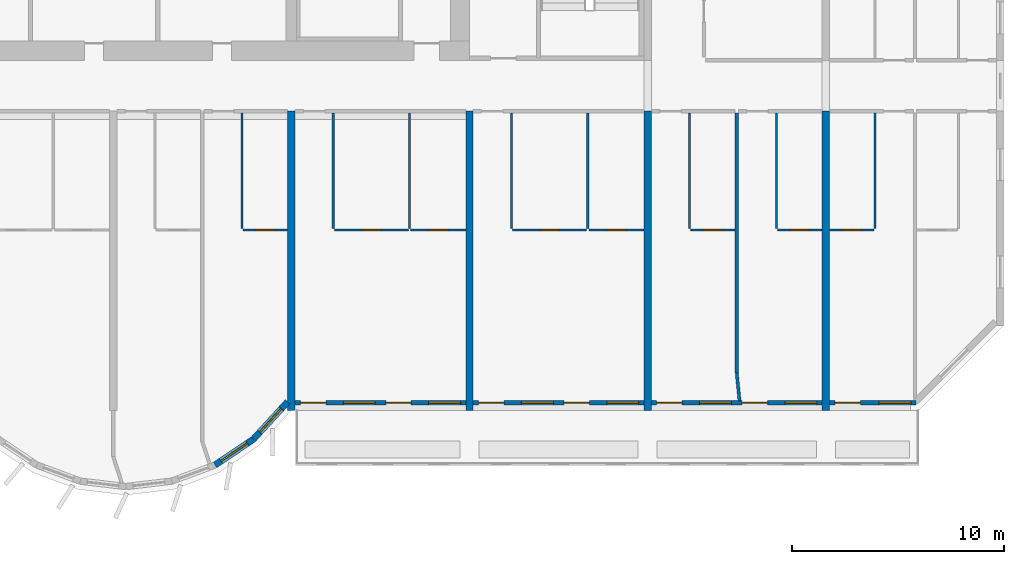
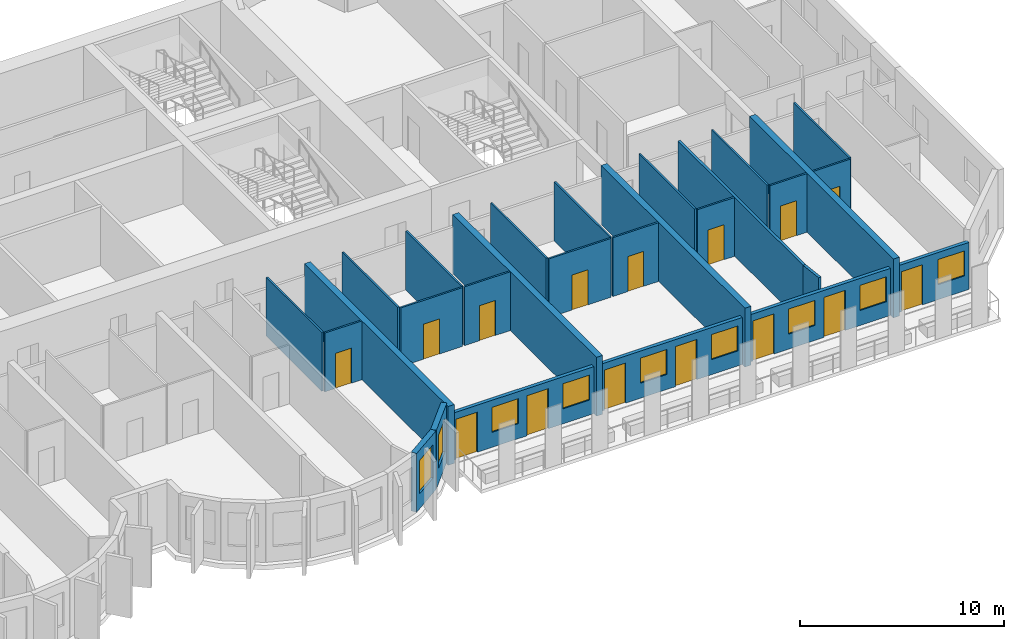
# One storey, part 8 of 14: 28 walls, 15 doors, 9 windows, 24 openings.
"""IFC4 building model written with IfcOpenShell, lengths in metres."""

import ifcopenshell
import ifcopenshell.guid

model = None  # the IFC model being written
_history = None  # IfcOwnerHistory: only IFC2X3 demands one
_inside = {}  # id of a spatial element -> (the spatial element, [elements in it])
_under = {}  # id of a project, library or spatial element -> (it, [spatial elements below it])
_declared = {}  # id of a project -> (the project, [libraries it declares])
_typed = {}  # id of a type object -> (the type object, [elements of that type])
_made_of = {}  # id of a material, layer set ... -> (it, [elements and type objects made of it])


def new_model(schema):
    """Start an empty IFC model of exactly this schema.

    Asked for "IFC4X3", IfcOpenShell would pick the latest addendum, in which some entities
    have other attributes; the version numbers below select the first issue.
    IFC2X3 requires an IfcOwnerHistory on every rooted entity: one is made here for all.
    """
    global model, _history
    if schema == "IFC4X3":
        model = ifcopenshell.file(schema_version=(4, 3, 0, 0))
    else:
        model = ifcopenshell.file(schema=schema)
    _inside.clear()
    _under.clear()
    _declared.clear()
    _typed.clear()
    _made_of.clear()
    _history = None
    if model.schema == "IFC2X3":
        org = make("IfcOrganization", Name="unknown")
        user = make(
            "IfcPersonAndOrganization",
            ThePerson=make("IfcPerson", FamilyName="unknown"),
            TheOrganization=org,
        )
        app = make(
            "IfcApplication",
            ApplicationDeveloper=org,
            Version="unknown",
            ApplicationFullName="unknown",
            ApplicationIdentifier="unknown",
        )
        _history = make(
            "IfcOwnerHistory",
            OwningUser=user,
            OwningApplication=app,
            ChangeAction="ADDED",
            CreationDate=0,
        )
    return model


def make(cls, **values):
    """One entity of the class cls with the attributes given. An attribute that is None is left unset."""
    return model.create_entity(
        cls, **{name: value for name, value in values.items() if value is not None}
    )


def rooted(cls, **values):
    """An entity with a GlobalId (a new one), such as an element, a storey or a relation."""
    return make(cls, GlobalId=ifcopenshell.guid.new(), OwnerHistory=_history, **values)


def si_unit(unit_type, name, prefix=None):
    """IfcSIUnit, for example si_unit("LENGTHUNIT", "METRE", prefix="MILLI")."""
    return make("IfcSIUnit", UnitType=unit_type, Prefix=prefix, Name=name)


def assignment(units):
    """IfcUnitAssignment: the units of a project."""
    return None if units is None else make("IfcUnitAssignment", Units=units)


def point(xyz):
    """IfcCartesianPoint."""
    return None if xyz is None else make("IfcCartesianPoint", Coordinates=xyz)


def direction(xyz):
    """IfcDirection."""
    return None if xyz is None else make("IfcDirection", DirectionRatios=xyz)


def frame(location, z_axis=None, x_axis=None):
    """IfcAxis2Placement3D, a coordinate frame: its origin and axes. An axis left out is left unset."""
    return make(
        "IfcAxis2Placement3D",
        Location=point(location),
        Axis=direction(z_axis),
        RefDirection=direction(x_axis),
    )


def frame_2d(location, x_axis=None):
    """IfcAxis2Placement2D, a coordinate frame in the plane: its origin and x axis."""
    return make(
        "IfcAxis2Placement2D", Location=point(location), RefDirection=direction(x_axis)
    )


def origin():
    """The frame at (0, 0, 0) with its axes left unset."""
    return frame((0.0, 0.0, 0.0))


def place(relative_to, where):
    """IfcLocalPlacement: puts the frame where relative to a parent placement (None: the world)."""
    return make(
        "IfcLocalPlacement", PlacementRelTo=relative_to, RelativePlacement=where
    )


def context(
    kind, dimensions, precision=None, world=None, true_north=None, identifier=None
):
    """IfcGeometricRepresentationContext, for example the 3D "Model" context."""
    return make(
        "IfcGeometricRepresentationContext",
        ContextIdentifier=identifier,
        ContextType=kind,
        CoordinateSpaceDimension=dimensions,
        Precision=precision,
        WorldCoordinateSystem=world,
        TrueNorth=true_north,
    )


def subcontext(parent, identifier, kind, view, scale=None):
    """IfcGeometricRepresentationSubContext, for example "Body" below "Model"."""
    return make(
        "IfcGeometricRepresentationSubContext",
        ContextIdentifier=identifier,
        ContextType=kind,
        ParentContext=parent,
        TargetScale=scale,
        TargetView=view,
    )


def project(units=None, contexts=None):
    """IfcProject with its units and contexts."""
    return rooted(
        "IfcProject",
        Name="project",
        RepresentationContexts=contexts,
        UnitsInContext=assignment(units),
    )


def spatial(cls, under=None, at=None, **own):
    """A site, building, storey or space (cls), placed at a placement, below another one or the project."""
    s = rooted(cls, ObjectPlacement=at, **own)
    if under is not None:
        _under.setdefault(under.id(), (under, []))[1].append(s)
    return s


def profile(cls, at=None, kind="AREA", **sizes):
    """A parametric profile (cls). Its sizes go by their IFC names, for example OverallWidth=200.0."""
    return make(cls, ProfileType=kind, Position=at, **sizes)


def rectangle(**sizes):
    """IfcRectangleProfileDef."""
    return profile("IfcRectangleProfileDef", **sizes)


def extrude(swept, where, along, depth):
    """IfcExtrudedAreaSolid: the profile swept, set in the frame where, extruded along a direction by depth."""
    return make(
        "IfcExtrudedAreaSolid",
        SweptArea=swept,
        Position=where,
        ExtrudedDirection=direction(along),
        Depth=depth,
    )


def shape(context_of_items, identifier, shape_type, items):
    """IfcShapeRepresentation: the items that make up one representation, for example the "Body"."""
    return make(
        "IfcShapeRepresentation",
        ContextOfItems=context_of_items,
        RepresentationIdentifier=identifier,
        RepresentationType=shape_type,
        Items=items,
    )


def source(mapping_origin, context_of_items, identifier, shape_type, items):
    """IfcRepresentationMap: a shape defined once, which mapped items show again and again."""
    return make(
        "IfcRepresentationMap",
        MappingOrigin=mapping_origin,
        MappedRepresentation=shape(context_of_items, identifier, shape_type, items),
    )


def transform(
    local_origin,
    x_axis=None,
    y_axis=None,
    z_axis=None,
    scale=None,
    scale2=None,
    scale3=None,
    uniform=True,
):
    """IfcCartesianTransformationOperator3D, or its non-uniform kind. x_axis, y_axis, z_axis: its Axis1, 2, 3."""
    if uniform:
        return make(
            "IfcCartesianTransformationOperator3D",
            Axis1=direction(x_axis),
            Axis2=direction(y_axis),
            LocalOrigin=point(local_origin),
            Scale=scale,
            Axis3=direction(z_axis),
        )
    return make(
        "IfcCartesianTransformationOperator3DnonUniform",
        Axis1=direction(x_axis),
        Axis2=direction(y_axis),
        LocalOrigin=point(local_origin),
        Scale=scale,
        Axis3=direction(z_axis),
        Scale2=scale2,
        Scale3=scale3,
    )


def mapped(mapping_source, mapping_target):
    """IfcMappedItem: shows the shape of a source again, moved by a transform."""
    return make(
        "IfcMappedItem", MappingSource=mapping_source, MappingTarget=mapping_target
    )


def material(Name=None, Category=None):
    """IfcMaterial."""
    return make("IfcMaterial", Name=Name, Category=Category)


def layer(
    of_material, thickness, ventilated=None, Name=None, Category=None, Priority=None
):
    """IfcMaterialLayer: one layer of a wall or slab, of a material (None: an air gap)."""
    return make(
        "IfcMaterialLayer",
        Material=of_material,
        LayerThickness=thickness,
        IsVentilated=ventilated,
        Name=Name,
        Category=Category,
        Priority=Priority,
    )


def layer_set(layers, Name=None):
    """IfcMaterialLayerSet."""
    return make("IfcMaterialLayerSet", MaterialLayers=layers, LayerSetName=Name)


def made_of(thing, what):
    """Note that an element or type object is made of a material, layer set ...; save() writes the relation."""
    if what is not None:
        _made_of.setdefault(what.id(), (what, []))[1].append(thing)
    return thing


def type_object(cls, material=None, **own):
    """A type object (cls), such as IfcWallType, which elements share."""
    return made_of(rooted(cls, **own), material)


def element(
    cls,
    number,
    at=None,
    inside=None,
    cuts=None,
    type_object=None,
    material=None,
    context=None,
    identifier="Body",
    shape_type=None,
    held_by="IfcProductDefinitionShape",
    body=None,
    shapes=None,
    **own,
):
    """One element of the class cls, such as IfcWall. Its Tag is "e" and its number.

    at: its placement. inside: the storey or other place that contains it. cuts: it is an
    opening in that element (IfcRelVoidsElement). A single representation is given by context,
    identifier, shape_type and body (its items); several are given by shapes. held_by: the class
    of the entity that holds the representations. save() writes the other relations.
    """
    e = rooted(cls, Tag="e%d" % number, ObjectPlacement=at, **own)
    if body is not None:
        shapes = [shape(context, identifier, shape_type, body)]
    if shapes is not None:
        e.Representation = make(held_by, Representations=shapes)
    if inside is not None:
        _inside.setdefault(inside.id(), (inside, []))[1].append(e)
    if cuts is not None:
        rooted(
            "IfcRelVoidsElement", RelatingBuildingElement=cuts, RelatedOpeningElement=e
        )
    if type_object is not None:
        _typed.setdefault(type_object.id(), (type_object, []))[1].append(e)
    return made_of(e, material)


def fill(opening, filler):
    """IfcRelFillsElement: the door or window that sits in an opening."""
    return rooted(
        "IfcRelFillsElement",
        RelatingOpeningElement=opening,
        RelatedBuildingElement=filler,
    )


def aggregate(whole, parts):
    """IfcRelAggregates: a whole, such as a stair, and the parts it consists of."""
    return rooted("IfcRelAggregates", RelatingObject=whole, RelatedObjects=parts)


def save(model, path):
    """Write the relations noted so far, then the file.

    IfcRelAggregates (storeys below a building ...), IfcRelContainedInSpatialStructure (elements
    in a storey), IfcRelDefinesByType, IfcRelAssociatesMaterial and IfcRelDeclares: one each for
    every whole, place, type object, material and project.
    """
    for whole, parts in _under.values():
        aggregate(whole, parts)
    for where, things in _inside.values():
        rooted(
            "IfcRelContainedInSpatialStructure",
            RelatedElements=things,
            RelatingStructure=where,
        )
    for kind, things in _typed.values():
        rooted("IfcRelDefinesByType", RelatedObjects=things, RelatingType=kind)
    for what, things in _made_of.values():
        rooted("IfcRelAssociatesMaterial", RelatedObjects=things, RelatingMaterial=what)
    for by, libraries in _declared.values():
        rooted("IfcRelDeclares", RelatingContext=by, RelatedDefinitions=libraries)
    model.write(path)


model = new_model("IFC4")

# Units and contexts
model_context = context("Model", 3, precision=1e-05, world=origin(), true_north=direction((0.0, 1.0)))
body_context = subcontext(model_context, "Body", "Model", "MODEL_VIEW")
ifc_project = project(units=[si_unit("LENGTHUNIT", "METRE"), si_unit("AREAUNIT", "SQUARE_METRE"), si_unit("VOLUMEUNIT", "CUBIC_METRE"), si_unit("PLANEANGLEUNIT", "RADIAN"), si_unit("MASSUNIT", "GRAM", prefix="KILO")], contexts=[model_context])

# Site, building, storey
site_placement = place(None, origin())
site = spatial("IfcSite", under=ifc_project, at=site_placement, CompositionType="ELEMENT")
building_placement = place(site_placement, origin())
building = spatial("IfcBuilding", under=site, at=building_placement, Name="Vanashikhar Sky Hotel", CompositionType="ELEMENT")
storey_placement = place(building_placement, frame((0.0, 0.0, 102.800048828125)))
storey = spatial("IfcBuildingStorey", under=building, at=storey_placement, Name="L24", CompositionType="ELEMENT", Elevation=102.800048828125)

# Walls
ifc_material_1 = material(Name="Concrete M70", Category="concrete")
ifc_layer_1 = layer(ifc_material_1, 0.35009765625)
ifc_layer_set_1 = layer_set([ifc_layer_1], Name="RC shear wall 350 Concrete M70")
wall_type_1 = type_object("IfcWallType", Name="RC shear wall 350 Concrete M70", PredefinedType="SHEAR", material=ifc_layer_set_1)
shared_shape_1 = source(origin(), body_context, "Body", "SweptSolid", [
    extrude(rectangle(XDim=14.10009765625, YDim=0.35009765625, at=frame_2d((7.050048828125, 0.0))), origin(), (0.0, 0.0, 1.0), 3.52001953125),
])
for number, where, z_axis, x_axis, name in (
    (1, (67.199951171875, 5.5, 0.0), (0.0, 0.0, 1.0), (0.0, 1.0, 0.0), "CW-L24-XW09-1"),
    (2, (75.60009765625, 5.5, 0.0), (0.0, 0.0, 1.0), (0.0, 1.0, 0.0), "CW-L24-XW10-1"),
    (3, (84.0, 5.5, 0.0), (0.0, 0.0, 1.0), (0.0, 1.0, 0.0), "CW-L24-XW11-1"),
    (4, (92.39990234375, 5.5, 0.0), (0.0, 0.0, 1.0), (0.0, 1.0, 0.0), "CW-L24-XW12-1"),
):
    element("IfcWall", number, at=place(storey_placement, frame(where, z_axis=z_axis, x_axis=x_axis)), inside=storey, type_object=wall_type_1, Name=name, PredefinedType="SHEAR", context=body_context, shape_type="MappedRepresentation", body=[
        mapped(shared_shape_1, transform((0.0, 0.0, 0.0), scale=1.0)),
    ])

# Wall, opening, window
ifc_material_2 = material(Name="Concrete M50", Category="concrete")
ifc_layer_2 = layer(ifc_material_2, 0.300048828125)
ifc_layer_set_2 = layer_set([ifc_layer_2], Name="Lobe wall 300")
wall_type_2 = type_object("IfcWallType", Name="Lobe wall 300", PredefinedType="SOLIDWALL", material=ifc_layer_set_2)
shared_shape_2 = source(origin(), body_context, "Body", "SweptSolid", [
    extrude(rectangle(XDim=2.398193359375, YDim=0.300048828125, at=frame_2d((1.19921875, 0.0))), origin(), (0.0, 0.0, 1.0), 3.52001953125),
])
wall_1_placement = place(storey_placement, frame((65.404296875, 4.13134765625, 0.0), z_axis=(0.0, 0.0, 1.0), x_axis=(0.675374189419, 0.737475222815, 0.0)))
wall_1 = element("IfcWall", 5, at=wall_1_placement, inside=storey, type_object=wall_type_2, Name="Lobe wall", PredefinedType="SOLIDWALL", context=body_context, shape_type="MappedRepresentation", body=[
    mapped(shared_shape_2, transform((0.0, 0.0, 0.0), scale=1.0)),
])
shared_shape_3 = source(origin(), body_context, "Body", "SweptSolid", [
    extrude(rectangle(XDim=1.5, YDim=2.0, at=frame_2d((0.75, 1.0))), frame((0.0, 0.16015625, 0.0), z_axis=(0.0, -1.0, 0.0), x_axis=(1.0, 0.0, 0.0)), (0.0, 0.0, 1.0), 0.320068359375),
])
opening_1_placement = place(wall_1_placement, frame((0.44921875, 0.0, 0.89990234375)))
opening_1 = element("IfcOpeningElement", 6, at=opening_1_placement, cuts=wall_1, Name="Opening WN-2", PredefinedType="OPENING", context=body_context, shape_type="MappedRepresentation", body=[
    mapped(shared_shape_3, transform((0.0, 0.0, 0.0), scale=1.0)),
])
ifc_material_3 = material(Name="Glass", Category="glass")
window_type_1 = type_object("IfcWindowType", Name="Lobe window 1500 x 2000", PartitioningType="SINGLE_PANEL", PredefinedType="WINDOW", material=ifc_material_3)
shared_shape_4 = source(origin(), body_context, "Body", "SweptSolid", [
    extrude(rectangle(XDim=1.5, YDim=2.0, at=frame_2d((0.75, 1.0))), frame((0.0, 0.030029296875, 0.0), z_axis=(0.0, -1.0, 0.0), x_axis=(1.0, 0.0, 0.0)), (0.0, 0.0, 1.0), 0.06005859375),
])
window_1_placement = place(opening_1_placement, origin())
window_1 = element("IfcWindow", 7, at=window_1_placement, inside=storey, type_object=window_type_1, Name="Window WN-2", OverallHeight=2.0, OverallWidth=1.5, PartitioningType="SINGLE_PANEL", PredefinedType="WINDOW", context=body_context, shape_type="MappedRepresentation", body=[
    mapped(shared_shape_4, transform((0.0, 0.0, 0.0), scale=1.0)),
])
fill(opening_1, window_1)

shared_shape_5 = source(origin(), body_context, "Body", "SweptSolid", [
    extrude(rectangle(XDim=2.17578125, YDim=0.300048828125, at=frame_2d((1.087890625, 0.0))), origin(), (0.0, 0.0, 1.0), 3.52001953125),
])
wall_2_placement = place(storey_placement, frame((63.59912109375, 2.91650390625, 0.0), z_axis=(0.0, 0.0, 1.0), x_axis=(0.829625727223, 0.558319937607, 0.0)))
wall_2 = element("IfcWall", 8, at=wall_2_placement, inside=storey, type_object=wall_type_2, Name="Lobe wall", PredefinedType="SOLIDWALL", context=body_context, shape_type="MappedRepresentation", body=[
    mapped(shared_shape_5, transform((0.0, 0.0, 0.0), scale=1.0)),
])
opening_2_placement = place(wall_2_placement, frame((0.337890625, 0.0, 0.89990234375)))
opening_2 = element("IfcOpeningElement", 9, at=opening_2_placement, cuts=wall_2, Name="Opening WN-2", PredefinedType="OPENING", context=body_context, shape_type="MappedRepresentation", body=[
    mapped(shared_shape_3, transform((0.0, 0.0, 0.0), scale=1.0)),
])
window_2_placement = place(opening_2_placement, origin())
window_2 = element("IfcWindow", 10, at=window_2_placement, inside=storey, type_object=window_type_1, Name="Window WN-2", OverallHeight=2.0, OverallWidth=1.5, PartitioningType="SINGLE_PANEL", PredefinedType="WINDOW", context=body_context, shape_type="MappedRepresentation", body=[
    mapped(shared_shape_4, transform((0.0, 0.0, 0.0), scale=1.0)),
])
fill(opening_2, window_2)

# Wall, openings, window, door
ifc_layer_3 = layer(ifc_material_2, 0.199951171875)
ifc_layer_set_3 = layer_set([ifc_layer_3], Name="Front window wall 200")
wall_type_3 = type_object("IfcWallType", Name="Front window wall 200", PredefinedType="SOLIDWALL", material=ifc_layer_set_3)
shared_shape_6 = source(origin(), body_context, "Body", "SweptSolid", [
    extrude(rectangle(XDim=4.080078125, YDim=0.199951171875, at=frame_2d((2.0400390625, 0.0))), origin(), (0.0, 0.0, 1.0), 2.820068359375),
])
wall_3_placement = place(storey_placement, frame((92.574951171875, 5.85009765625, 0.0), z_axis=(0.0, 0.0, 1.0), x_axis=(1.0, 0.0, 0.0)))
wall_3 = element("IfcWall", 11, at=wall_3_placement, inside=storey, type_object=wall_type_3, Name="Front window wall", PredefinedType="SOLIDWALL", context=body_context, shape_type="MappedRepresentation", body=[
    mapped(shared_shape_6, transform((0.0, 0.0, 0.0), scale=1.0)),
])
shared_shape_7 = source(origin(), body_context, "Body", "SweptSolid", [
    extrude(rectangle(XDim=1.199951171875, YDim=2.39990234375, at=frame_2d((0.60009765625, 1.199951171875))), frame((0.0, 0.10986328125, 0.0), z_axis=(0.0, -1.0, 0.0), x_axis=(1.0, 0.0, 0.0)), (0.0, 0.0, 1.0), 0.219970703125),
])
opening_3_placement = place(wall_3_placement, frame((0.25, 0.0, 0.0)))
opening_3 = element("IfcOpeningElement", 12, at=opening_3_placement, cuts=wall_3, Name="Opening BD-14", PredefinedType="OPENING", context=body_context, shape_type="MappedRepresentation", body=[
    mapped(shared_shape_7, transform((0.0, 0.0, 0.0), scale=1.0)),
])
shared_shape_8 = source(origin(), body_context, "Body", "SweptSolid", [
    extrude(rectangle(XDim=1.5, YDim=1.5, at=frame_2d((0.75, 0.75))), frame((0.0, 0.10986328125, 0.0), z_axis=(0.0, -1.0, 0.0), x_axis=(1.0, 0.0, 0.0)), (0.0, 0.0, 1.0), 0.219970703125),
])
opening_4_placement = place(wall_3_placement, frame((2.330078125, 0.0, 0.89990234375)))
opening_4 = element("IfcOpeningElement", 13, at=opening_4_placement, cuts=wall_3, Name="Opening WN-1", PredefinedType="OPENING", context=body_context, shape_type="MappedRepresentation", body=[
    mapped(shared_shape_8, transform((0.0, 0.0, 0.0), scale=1.0)),
])
window_type_2 = type_object("IfcWindowType", Name="Window 1500 x 1500", PartitioningType="SINGLE_PANEL", PredefinedType="WINDOW", material=ifc_material_3)
shared_shape_9 = source(origin(), body_context, "Body", "SweptSolid", [
    extrude(rectangle(XDim=1.5, YDim=1.5, at=frame_2d((0.75, 0.75))), frame((0.0, 0.030029296875, 0.0), z_axis=(0.0, -1.0, 0.0), x_axis=(1.0, 0.0, 0.0)), (0.0, 0.0, 1.0), 0.06005859375),
])
window_3_placement = place(opening_4_placement, origin())
window_3 = element("IfcWindow", 14, at=window_3_placement, inside=storey, type_object=window_type_2, Name="Window WN-1", OverallHeight=1.5, OverallWidth=1.5, PartitioningType="SINGLE_PANEL", PredefinedType="WINDOW", context=body_context, shape_type="MappedRepresentation", body=[
    mapped(shared_shape_9, transform((0.0, 0.0, 0.0), scale=1.0)),
])
fill(opening_4, window_3)
ifc_material_4 = material(Name="Aluminium", Category="aluminium")
door_type_1 = type_object("IfcDoorType", Name="Balcony sliding door 1200 x 2400", OperationType="NOTDEFINED", PredefinedType="DOOR", material=ifc_material_4)
shared_shape_10 = source(origin(), body_context, "Body", "SweptSolid", [
    extrude(rectangle(XDim=1.199951171875, YDim=2.39990234375, at=frame_2d((0.60009765625, 1.199951171875))), frame((0.0, 0.02490234375, 0.0), z_axis=(0.0, -1.0, 0.0), x_axis=(1.0, 0.0, 0.0)), (0.0, 0.0, 1.0), 0.050048828125),
])
door_1_placement = place(opening_3_placement, origin())
door_1 = element("IfcDoor", 15, at=door_1_placement, inside=storey, type_object=door_type_1, Name="Balcony sliding door", OperationType="SLIDING_TO_RIGHT", OverallHeight=2.39990234375, OverallWidth=1.199951171875, PredefinedType="DOOR", context=body_context, shape_type="MappedRepresentation", body=[
    mapped(shared_shape_10, transform((0.0, 0.0, 0.0), scale=1.0)),
])
fill(opening_3, door_1)

# Wall, openings, windows, doors
shared_shape_11 = source(origin(), body_context, "Body", "SweptSolid", [
    extrude(rectangle(XDim=8.050048828125, YDim=0.199951171875, at=frame_2d((4.02490234375, 0.0))), origin(), (0.0, 0.0, 1.0), 2.820068359375),
])
wall_4_placement = place(storey_placement, frame((67.375, 5.85009765625, 0.0), z_axis=(0.0, 0.0, 1.0), x_axis=(1.0, 0.0, 0.0)))
wall_4 = element("IfcWall", 16, at=wall_4_placement, inside=storey, type_object=wall_type_3, Name="Front window wall", PredefinedType="SOLIDWALL", context=body_context, shape_type="MappedRepresentation", body=[
    mapped(shared_shape_11, transform((0.0, 0.0, 0.0), scale=1.0)),
])
opening_5_placement = place(wall_4_placement, frame((0.25, 0.0, 0.0)))
opening_5 = element("IfcOpeningElement", 17, at=opening_5_placement, cuts=wall_4, Name="Opening BD-08", PredefinedType="OPENING", context=body_context, shape_type="MappedRepresentation", body=[
    mapped(shared_shape_7, transform((0.0, 0.0, 0.0), scale=1.0)),
])
opening_6_placement = place(wall_4_placement, frame((2.27490234375, 0.0, 0.89990234375)))
opening_6 = element("IfcOpeningElement", 18, at=opening_6_placement, cuts=wall_4, Name="Opening WN-1", PredefinedType="OPENING", context=body_context, shape_type="MappedRepresentation", body=[
    mapped(shared_shape_8, transform((0.0, 0.0, 0.0), scale=1.0)),
])
opening_7_placement = place(wall_4_placement, frame((4.27490234375, 0.0, 0.0)))
opening_7 = element("IfcOpeningElement", 19, at=opening_7_placement, cuts=wall_4, Name="Opening BD-09", PredefinedType="OPENING", context=body_context, shape_type="MappedRepresentation", body=[
    mapped(shared_shape_7, transform((0.0, 0.0, 0.0), scale=1.0)),
])
opening_8_placement = place(wall_4_placement, frame((6.300048828125, 0.0, 0.89990234375)))
opening_8 = element("IfcOpeningElement", 20, at=opening_8_placement, cuts=wall_4, Name="Opening WN-1", PredefinedType="OPENING", context=body_context, shape_type="MappedRepresentation", body=[
    mapped(shared_shape_8, transform((0.0, 0.0, 0.0), scale=1.0)),
])
window_4_placement = place(opening_6_placement, origin())
window_4 = element("IfcWindow", 21, at=window_4_placement, inside=storey, type_object=window_type_2, Name="Window WN-1", OverallHeight=1.5, OverallWidth=1.5, PartitioningType="SINGLE_PANEL", PredefinedType="WINDOW", context=body_context, shape_type="MappedRepresentation", body=[
    mapped(shared_shape_9, transform((0.0, 0.0, 0.0), scale=1.0)),
])
fill(opening_6, window_4)
window_5_placement = place(opening_8_placement, origin())
window_5 = element("IfcWindow", 22, at=window_5_placement, inside=storey, type_object=window_type_2, Name="Window WN-1", OverallHeight=1.5, OverallWidth=1.5, PartitioningType="SINGLE_PANEL", PredefinedType="WINDOW", context=body_context, shape_type="MappedRepresentation", body=[
    mapped(shared_shape_9, transform((0.0, 0.0, 0.0), scale=1.0)),
])
fill(opening_8, window_5)
door_2_placement = place(opening_5_placement, origin())
door_2 = element("IfcDoor", 23, at=door_2_placement, inside=storey, type_object=door_type_1, Name="Balcony sliding door", OperationType="SLIDING_TO_RIGHT", OverallHeight=2.39990234375, OverallWidth=1.199951171875, PredefinedType="DOOR", context=body_context, shape_type="MappedRepresentation", body=[
    mapped(shared_shape_10, transform((0.0, 0.0, 0.0), scale=1.0)),
])
fill(opening_5, door_2)
door_3_placement = place(opening_7_placement, origin())
door_3 = element("IfcDoor", 24, at=door_3_placement, inside=storey, type_object=door_type_1, Name="Balcony sliding door", OperationType="SLIDING_TO_LEFT", OverallHeight=2.39990234375, OverallWidth=1.199951171875, PredefinedType="DOOR", context=body_context, shape_type="MappedRepresentation", body=[
    mapped(shared_shape_10, transform((0.0, 0.0, 0.0), scale=1.0)),
])
fill(opening_7, door_3)

wall_5_placement = place(storey_placement, frame((75.77490234375, 5.85009765625, 0.0), z_axis=(0.0, 0.0, 1.0), x_axis=(1.0, 0.0, 0.0)))
wall_5 = element("IfcWall", 25, at=wall_5_placement, inside=storey, type_object=wall_type_3, Name="Front window wall", PredefinedType="SOLIDWALL", context=body_context, shape_type="MappedRepresentation", body=[
    mapped(shared_shape_11, transform((0.0, 0.0, 0.0), scale=1.0)),
])
opening_9_placement = place(wall_5_placement, frame((0.25, 0.0, 0.0)))
opening_9 = element("IfcOpeningElement", 26, at=opening_9_placement, cuts=wall_5, Name="Opening BD-10", PredefinedType="OPENING", context=body_context, shape_type="MappedRepresentation", body=[
    mapped(shared_shape_7, transform((0.0, 0.0, 0.0), scale=1.0)),
])
opening_10_placement = place(wall_5_placement, frame((2.27490234375, 0.0, 0.89990234375)))
opening_10 = element("IfcOpeningElement", 27, at=opening_10_placement, cuts=wall_5, Name="Opening WN-1", PredefinedType="OPENING", context=body_context, shape_type="MappedRepresentation", body=[
    mapped(shared_shape_8, transform((0.0, 0.0, 0.0), scale=1.0)),
])
opening_11_placement = place(wall_5_placement, frame((4.27490234375, 0.0, 0.0)))
opening_11 = element("IfcOpeningElement", 28, at=opening_11_placement, cuts=wall_5, Name="Opening BD-11", PredefinedType="OPENING", context=body_context, shape_type="MappedRepresentation", body=[
    mapped(shared_shape_7, transform((0.0, 0.0, 0.0), scale=1.0)),
])
opening_12_placement = place(wall_5_placement, frame((6.300048828125, 0.0, 0.89990234375)))
opening_12 = element("IfcOpeningElement", 29, at=opening_12_placement, cuts=wall_5, Name="Opening WN-1", PredefinedType="OPENING", context=body_context, shape_type="MappedRepresentation", body=[
    mapped(shared_shape_8, transform((0.0, 0.0, 0.0), scale=1.0)),
])
window_6_placement = place(opening_10_placement, origin())
window_6 = element("IfcWindow", 30, at=window_6_placement, inside=storey, type_object=window_type_2, Name="Window WN-1", OverallHeight=1.5, OverallWidth=1.5, PartitioningType="SINGLE_PANEL", PredefinedType="WINDOW", context=body_context, shape_type="MappedRepresentation", body=[
    mapped(shared_shape_9, transform((0.0, 0.0, 0.0), scale=1.0)),
])
fill(opening_10, window_6)
window_7_placement = place(opening_12_placement, origin())
window_7 = element("IfcWindow", 31, at=window_7_placement, inside=storey, type_object=window_type_2, Name="Window WN-1", OverallHeight=1.5, OverallWidth=1.5, PartitioningType="SINGLE_PANEL", PredefinedType="WINDOW", context=body_context, shape_type="MappedRepresentation", body=[
    mapped(shared_shape_9, transform((0.0, 0.0, 0.0), scale=1.0)),
])
fill(opening_12, window_7)
door_4_placement = place(opening_9_placement, origin())
door_4 = element("IfcDoor", 32, at=door_4_placement, inside=storey, type_object=door_type_1, Name="Balcony sliding door", OperationType="SLIDING_TO_RIGHT", OverallHeight=2.39990234375, OverallWidth=1.199951171875, PredefinedType="DOOR", context=body_context, shape_type="MappedRepresentation", body=[
    mapped(shared_shape_10, transform((0.0, 0.0, 0.0), scale=1.0)),
])
fill(opening_9, door_4)
door_5_placement = place(opening_11_placement, origin())
door_5 = element("IfcDoor", 33, at=door_5_placement, inside=storey, type_object=door_type_1, Name="Balcony sliding door", OperationType="SLIDING_TO_LEFT", OverallHeight=2.39990234375, OverallWidth=1.199951171875, PredefinedType="DOOR", context=body_context, shape_type="MappedRepresentation", body=[
    mapped(shared_shape_10, transform((0.0, 0.0, 0.0), scale=1.0)),
])
fill(opening_11, door_5)

wall_6_placement = place(storey_placement, frame((84.175048828125, 5.85009765625, 0.0), z_axis=(0.0, 0.0, 1.0), x_axis=(1.0, 0.0, 0.0)))
wall_6 = element("IfcWall", 34, at=wall_6_placement, inside=storey, type_object=wall_type_3, Name="Front window wall", PredefinedType="SOLIDWALL", context=body_context, shape_type="MappedRepresentation", body=[
    mapped(shared_shape_11, transform((0.0, 0.0, 0.0), scale=1.0)),
])
opening_13_placement = place(wall_6_placement, frame((0.25, 0.0, 0.0)))
opening_13 = element("IfcOpeningElement", 35, at=opening_13_placement, cuts=wall_6, Name="Opening BD-12", PredefinedType="OPENING", context=body_context, shape_type="MappedRepresentation", body=[
    mapped(shared_shape_7, transform((0.0, 0.0, 0.0), scale=1.0)),
])
opening_14_placement = place(wall_6_placement, frame((2.27490234375, 0.0, 0.89990234375)))
opening_14 = element("IfcOpeningElement", 36, at=opening_14_placement, cuts=wall_6, Name="Opening WN-1", PredefinedType="OPENING", context=body_context, shape_type="MappedRepresentation", body=[
    mapped(shared_shape_8, transform((0.0, 0.0, 0.0), scale=1.0)),
])
opening_15_placement = place(wall_6_placement, frame((4.27490234375, 0.0, 0.0)))
opening_15 = element("IfcOpeningElement", 37, at=opening_15_placement, cuts=wall_6, Name="Opening BD-13", PredefinedType="OPENING", context=body_context, shape_type="MappedRepresentation", body=[
    mapped(shared_shape_7, transform((0.0, 0.0, 0.0), scale=1.0)),
])
opening_16_placement = place(wall_6_placement, frame((6.300048828125, 0.0, 0.89990234375)))
opening_16 = element("IfcOpeningElement", 38, at=opening_16_placement, cuts=wall_6, Name="Opening WN-1", PredefinedType="OPENING", context=body_context, shape_type="MappedRepresentation", body=[
    mapped(shared_shape_8, transform((0.0, 0.0, 0.0), scale=1.0)),
])
window_8_placement = place(opening_14_placement, origin())
window_8 = element("IfcWindow", 39, at=window_8_placement, inside=storey, type_object=window_type_2, Name="Window WN-1", OverallHeight=1.5, OverallWidth=1.5, PartitioningType="SINGLE_PANEL", PredefinedType="WINDOW", context=body_context, shape_type="MappedRepresentation", body=[
    mapped(shared_shape_9, transform((0.0, 0.0, 0.0), scale=1.0)),
])
fill(opening_14, window_8)
window_9_placement = place(opening_16_placement, origin())
window_9 = element("IfcWindow", 40, at=window_9_placement, inside=storey, type_object=window_type_2, Name="Window WN-1", OverallHeight=1.5, OverallWidth=1.5, PartitioningType="SINGLE_PANEL", PredefinedType="WINDOW", context=body_context, shape_type="MappedRepresentation", body=[
    mapped(shared_shape_9, transform((0.0, 0.0, 0.0), scale=1.0)),
])
fill(opening_16, window_9)
door_6_placement = place(opening_13_placement, origin())
door_6 = element("IfcDoor", 41, at=door_6_placement, inside=storey, type_object=door_type_1, Name="Balcony sliding door", OperationType="SLIDING_TO_RIGHT", OverallHeight=2.39990234375, OverallWidth=1.199951171875, PredefinedType="DOOR", context=body_context, shape_type="MappedRepresentation", body=[
    mapped(shared_shape_10, transform((0.0, 0.0, 0.0), scale=1.0)),
])
fill(opening_13, door_6)
door_7_placement = place(opening_15_placement, origin())
door_7 = element("IfcDoor", 42, at=door_7_placement, inside=storey, type_object=door_type_1, Name="Balcony sliding door", OperationType="SLIDING_TO_LEFT", OverallHeight=2.39990234375, OverallWidth=1.199951171875, PredefinedType="DOOR", context=body_context, shape_type="MappedRepresentation", body=[
    mapped(shared_shape_10, transform((0.0, 0.0, 0.0), scale=1.0)),
])
fill(opening_15, door_7)

# Wall, opening, door
ifc_material_5 = material(Name="Gypsum plasterboard partition")
ifc_layer_4 = layer(ifc_material_5, 0.10009765625)
ifc_layer_set_4 = layer_set([ifc_layer_4], Name="Wet room partition 100")
wall_type_4 = type_object("IfcWallType", Name="Wet room partition 100", PredefinedType="PARTITIONING", material=ifc_layer_set_4)
shared_shape_12 = source(origin(), body_context, "Body", "SweptSolid", [
    extrude(rectangle(XDim=3.5, YDim=0.10009765625, at=frame_2d((1.75, 0.0))), origin(), (0.0, 0.0, 1.0), 3.52001953125),
])
wall_7_placement = place(storey_placement, frame((69.22509765625, 14.0, 0.0), z_axis=(0.0, 0.0, 1.0), x_axis=(1.0, 0.0, 0.0)))
wall_7 = element("IfcWall", 43, at=wall_7_placement, inside=storey, type_object=wall_type_4, Name="W-L24-PW057", PredefinedType="PARTITIONING", context=body_context, shape_type="MappedRepresentation", body=[
    mapped(shared_shape_12, transform((0.0, 0.0, 0.0), scale=1.0)),
])
shared_shape_13 = source(origin(), body_context, "Body", "SweptSolid", [
    extrude(rectangle(XDim=0.89990234375, YDim=2.10009765625, at=frame_2d((0.449951171875, 1.050048828125))), frame((0.0, 0.06005859375, 0.0), z_axis=(0.0, -1.0, 0.0), x_axis=(1.0, 0.0, 0.0)), (0.0, 0.0, 1.0), 0.1201171875),
])
opening_17_placement = place(wall_7_placement, frame((1.300048828125, 0.0, 0.0)))
opening_17 = element("IfcOpeningElement", 44, at=opening_17_placement, cuts=wall_7, Name="Opening D-02", PredefinedType="OPENING", context=body_context, shape_type="MappedRepresentation", body=[
    mapped(shared_shape_13, transform((0.0, 0.0, 0.0), scale=1.0)),
])
ifc_material_6 = material(Name="Timber door", Category="wood")
door_type_2 = type_object("IfcDoorType", Name="Internal door 900", OperationType="NOTDEFINED", PredefinedType="DOOR", material=ifc_material_6)
shared_shape_14 = source(origin(), body_context, "Body", "SweptSolid", [
    extrude(rectangle(XDim=0.89990234375, YDim=2.10009765625, at=frame_2d((0.449951171875, 1.050048828125))), frame((0.0, 0.02490234375, 0.0), z_axis=(0.0, -1.0, 0.0), x_axis=(1.0, 0.0, 0.0)), (0.0, 0.0, 1.0), 0.050048828125),
])
door_8_placement = place(opening_17_placement, origin())
door_8 = element("IfcDoor", 45, at=door_8_placement, inside=storey, type_object=door_type_2, Name="D-L24-032", OperationType="SINGLE_SWING_LEFT", OverallHeight=2.10009765625, OverallWidth=0.89990234375, PredefinedType="DOOR", context=body_context, shape_type="MappedRepresentation", body=[
    mapped(shared_shape_14, transform((0.0, 0.0, 0.0), scale=1.0)),
])
fill(opening_17, door_8)

wall_8_placement = place(storey_placement, frame((77.625, 14.0, 0.0), z_axis=(0.0, 0.0, 1.0), x_axis=(1.0, 0.0, 0.0)))
wall_8 = element("IfcWall", 46, at=wall_8_placement, inside=storey, type_object=wall_type_4, Name="W-L24-PW062", PredefinedType="PARTITIONING", context=body_context, shape_type="MappedRepresentation", body=[
    mapped(shared_shape_12, transform((0.0, 0.0, 0.0), scale=1.0)),
])
opening_18_placement = place(wall_8_placement, frame((1.300048828125, 0.0, 0.0)))
opening_18 = element("IfcOpeningElement", 47, at=opening_18_placement, cuts=wall_8, Name="Opening D-02", PredefinedType="OPENING", context=body_context, shape_type="MappedRepresentation", body=[
    mapped(shared_shape_13, transform((0.0, 0.0, 0.0), scale=1.0)),
])
door_9_placement = place(opening_18_placement, origin())
door_9 = element("IfcDoor", 48, at=door_9_placement, inside=storey, type_object=door_type_2, Name="D-L24-035", OperationType="SINGLE_SWING_LEFT", OverallHeight=2.10009765625, OverallWidth=0.89990234375, PredefinedType="DOOR", context=body_context, shape_type="MappedRepresentation", body=[
    mapped(shared_shape_14, transform((0.0, 0.0, 0.0), scale=1.0)),
])
fill(opening_18, door_9)

# Walls
shared_shape_15 = source(origin(), body_context, "Body", "SweptSolid", [
    extrude(rectangle(XDim=5.449951171875, YDim=0.10009765625, at=frame_2d((2.72509765625, 0.0))), origin(), (0.0, 0.0, 1.0), 3.52001953125),
])
for number, where, z_axis, x_axis, name in (
    (49, (64.875, 14.074951171875, 0.0), (0.0, 0.0, 1.0), (0.0, 1.0, 0.0), "W-L24-PW051"),
    (50, (69.175048828125, 14.074951171875, 0.0), (0.0, 0.0, 1.0), (0.0, 1.0, 0.0), "W-L24-PW055"),
    (51, (72.77490234375, 14.074951171875, 0.0), (0.0, 0.0, 1.0), (0.0, 1.0, 0.0), "W-L24-PW056"),
    (52, (77.574951171875, 14.074951171875, 0.0), (0.0, 0.0, 1.0), (0.0, 1.0, 0.0), "W-L24-PW060"),
    (53, (81.175048828125, 14.074951171875, 0.0), (0.0, 0.0, 1.0), (0.0, 1.0, 0.0), "W-L24-PW061"),
    (54, (85.97509765625, 14.074951171875, 0.0), (0.0, 0.0, 1.0), (0.0, 1.0, 0.0), "W-L24-PW065"),
    (55, (90.074951171875, 14.074951171875, 0.0), (0.0, 0.0, 1.0), (0.0, 1.0, 0.0), "W-L24-PW068"),
    (56, (94.72509765625, 14.074951171875, 0.0), (0.0, 0.0, 1.0), (0.0, 1.0, 0.0), "W-L24-PW072"),
):
    element("IfcWall", number, at=place(storey_placement, frame(where, z_axis=z_axis, x_axis=x_axis)), inside=storey, type_object=wall_type_4, Name=name, PredefinedType="PARTITIONING", context=body_context, shape_type="MappedRepresentation", body=[
        mapped(shared_shape_15, transform((0.0, 0.0, 0.0), scale=1.0)),
    ])

# Wall, opening, door
shared_shape_16 = source(origin(), body_context, "Body", "SweptSolid", [
    extrude(rectangle(XDim=2.10009765625, YDim=0.10009765625, at=frame_2d((1.050048828125, 0.0))), origin(), (0.0, 0.0, 1.0), 3.52001953125),
])
wall_9_placement = place(storey_placement, frame((86.02490234375, 14.0, 0.0), z_axis=(0.0, 0.0, 1.0), x_axis=(1.0, 0.0, 0.0)))
wall_9 = element("IfcWall", 57, at=wall_9_placement, inside=storey, type_object=wall_type_4, Name="W-L24-PW066", PredefinedType="PARTITIONING", context=body_context, shape_type="MappedRepresentation", body=[
    mapped(shared_shape_16, transform((0.0, 0.0, 0.0), scale=1.0)),
])
opening_19_placement = place(wall_9_placement, frame((0.60009765625, 0.0, 0.0)))
opening_19 = element("IfcOpeningElement", 58, at=opening_19_placement, cuts=wall_9, Name="Opening D-02", PredefinedType="OPENING", context=body_context, shape_type="MappedRepresentation", body=[
    mapped(shared_shape_13, transform((0.0, 0.0, 0.0), scale=1.0)),
])
door_10_placement = place(opening_19_placement, origin())
door_10 = element("IfcDoor", 59, at=door_10_placement, inside=storey, type_object=door_type_2, Name="D-L24-038", OperationType="SINGLE_SWING_LEFT", OverallHeight=2.10009765625, OverallWidth=0.89990234375, PredefinedType="DOOR", context=body_context, shape_type="MappedRepresentation", body=[
    mapped(shared_shape_14, transform((0.0, 0.0, 0.0), scale=1.0)),
])
fill(opening_19, door_10)

wall_10_placement = place(storey_placement, frame((90.125, 14.0, 0.0), z_axis=(0.0, 0.0, 1.0), x_axis=(1.0, 0.0, 0.0)))
wall_10 = element("IfcWall", 60, at=wall_10_placement, inside=storey, type_object=wall_type_4, Name="W-L24-PW069", PredefinedType="PARTITIONING", context=body_context, shape_type="MappedRepresentation", body=[
    mapped(shared_shape_16, transform((0.0, 0.0, 0.0), scale=1.0)),
])
opening_20_placement = place(wall_10_placement, frame((0.60009765625, 0.0, 0.0)))
opening_20 = element("IfcOpeningElement", 61, at=opening_20_placement, cuts=wall_10, Name="Opening D-02", PredefinedType="OPENING", context=body_context, shape_type="MappedRepresentation", body=[
    mapped(shared_shape_13, transform((0.0, 0.0, 0.0), scale=1.0)),
])
door_11_placement = place(opening_20_placement, origin())
door_11 = element("IfcDoor", 62, at=door_11_placement, inside=storey, type_object=door_type_2, Name="D-L24-040", OperationType="SINGLE_SWING_LEFT", OverallHeight=2.10009765625, OverallWidth=0.89990234375, PredefinedType="DOOR", context=body_context, shape_type="MappedRepresentation", body=[
    mapped(shared_shape_14, transform((0.0, 0.0, 0.0), scale=1.0)),
])
fill(opening_20, door_11)

wall_11_placement = place(storey_placement, frame((92.574951171875, 14.0, 0.0), z_axis=(0.0, 0.0, 1.0), x_axis=(1.0, 0.0, 0.0)))
wall_11 = element("IfcWall", 63, at=wall_11_placement, inside=storey, type_object=wall_type_4, Name="W-L24-PW073", PredefinedType="PARTITIONING", context=body_context, shape_type="MappedRepresentation", body=[
    mapped(shared_shape_16, transform((0.0, 0.0, 0.0), scale=1.0)),
])
opening_21_placement = place(wall_11_placement, frame((0.60009765625, 0.0, 0.0)))
opening_21 = element("IfcOpeningElement", 64, at=opening_21_placement, cuts=wall_11, Name="Opening D-02", PredefinedType="OPENING", context=body_context, shape_type="MappedRepresentation", body=[
    mapped(shared_shape_13, transform((0.0, 0.0, 0.0), scale=1.0)),
])
door_12_placement = place(opening_21_placement, origin())
door_12 = element("IfcDoor", 65, at=door_12_placement, inside=storey, type_object=door_type_2, Name="D-L24-042", OperationType="SINGLE_SWING_RIGHT", OverallHeight=2.10009765625, OverallWidth=0.89990234375, PredefinedType="DOOR", context=body_context, shape_type="MappedRepresentation", body=[
    mapped(shared_shape_14, transform((0.0, 0.0, 0.0), scale=1.0)),
])
fill(opening_21, door_12)

shared_shape_17 = source(origin(), body_context, "Body", "SweptSolid", [
    extrude(rectangle(XDim=2.60009765625, YDim=0.10009765625, at=frame_2d((1.300048828125, 0.0))), origin(), (0.0, 0.0, 1.0), 3.52001953125),
])
wall_12_placement = place(storey_placement, frame((72.824951171875, 14.0, 0.0), z_axis=(0.0, 0.0, 1.0), x_axis=(1.0, 0.0, 0.0)))
wall_12 = element("IfcWall", 66, at=wall_12_placement, inside=storey, type_object=wall_type_4, Name="W-L24-PW058", PredefinedType="PARTITIONING", context=body_context, shape_type="MappedRepresentation", body=[
    mapped(shared_shape_17, transform((0.0, 0.0, 0.0), scale=1.0)),
])
opening_22_placement = place(wall_12_placement, frame((0.85009765625, 0.0, 0.0)))
opening_22 = element("IfcOpeningElement", 67, at=opening_22_placement, cuts=wall_12, Name="Opening D-02", PredefinedType="OPENING", context=body_context, shape_type="MappedRepresentation", body=[
    mapped(shared_shape_13, transform((0.0, 0.0, 0.0), scale=1.0)),
])
door_13_placement = place(opening_22_placement, origin())
door_13 = element("IfcDoor", 68, at=door_13_placement, inside=storey, type_object=door_type_2, Name="D-L24-033", OperationType="SINGLE_SWING_LEFT", OverallHeight=2.10009765625, OverallWidth=0.89990234375, PredefinedType="DOOR", context=body_context, shape_type="MappedRepresentation", body=[
    mapped(shared_shape_14, transform((0.0, 0.0, 0.0), scale=1.0)),
])
fill(opening_22, door_13)

shared_shape_18 = source(origin(), body_context, "Body", "SweptSolid", [
    extrude(rectangle(XDim=2.099853515625, YDim=0.10009765625, at=frame_2d((1.0498046875, 0.0))), origin(), (0.0, 0.0, 1.0), 3.52001953125),
])
wall_13_placement = place(storey_placement, frame((64.925048828125, 14.0, 0.0), z_axis=(0.0, 0.0, 1.0), x_axis=(1.0, 0.0, 0.0)))
wall_13 = element("IfcWall", 69, at=wall_13_placement, inside=storey, type_object=wall_type_4, Name="W-L24-PW052", PredefinedType="PARTITIONING", context=body_context, shape_type="MappedRepresentation", body=[
    mapped(shared_shape_18, transform((0.0, 0.0, 0.0), scale=1.0)),
])
opening_23_placement = place(wall_13_placement, frame((0.60009765625, 0.0, 0.0)))
opening_23 = element("IfcOpeningElement", 70, at=opening_23_placement, cuts=wall_13, Name="Opening D-02", PredefinedType="OPENING", context=body_context, shape_type="MappedRepresentation", body=[
    mapped(shared_shape_13, transform((0.0, 0.0, 0.0), scale=1.0)),
])
door_14_placement = place(opening_23_placement, origin())
door_14 = element("IfcDoor", 71, at=door_14_placement, inside=storey, type_object=door_type_2, Name="D-L24-030", OperationType="SINGLE_SWING_LEFT", OverallHeight=2.10009765625, OverallWidth=0.89990234375, PredefinedType="DOOR", context=body_context, shape_type="MappedRepresentation", body=[
    mapped(shared_shape_14, transform((0.0, 0.0, 0.0), scale=1.0)),
])
fill(opening_23, door_14)

# Wall
ifc_layer_5 = layer(ifc_material_5, 0.14990234375)
ifc_layer_set_5 = layer_set([ifc_layer_5], Name="Corridor and demising partition 150")
wall_type_5 = type_object("IfcWallType", Name="Corridor and demising partition 150", PredefinedType="PARTITIONING", material=ifc_layer_set_5)
shared_shape_19 = source(origin(), body_context, "Body", "SweptSolid", [
    extrude(rectangle(XDim=12.27490234375, YDim=0.14990234375, at=frame_2d((6.137451171875, 0.0))), origin(), (0.0, 0.0, 1.0), 3.52001953125),
])
wall_14_placement = place(storey_placement, frame((88.199951171875, 7.25, 0.0), z_axis=(0.0, 0.0, 1.0), x_axis=(0.0, 1.0, 0.0)))
element("IfcWall", 72, at=wall_14_placement, inside=storey, type_object=wall_type_5, Name="W-L24-PW071", PredefinedType="PARTITIONING", context=body_context, shape_type="MappedRepresentation", body=[
    mapped(shared_shape_19, transform((0.0, 0.0, 0.0), scale=1.0)),
])

# Wall, opening, door
shared_shape_20 = source(origin(), body_context, "Body", "SweptSolid", [
    extrude(rectangle(XDim=2.599853515625, YDim=0.10009765625, at=frame_2d((1.2998046875, 0.0))), origin(), (0.0, 0.0, 1.0), 3.52001953125),
])
wall_15_placement = place(storey_placement, frame((81.22509765625, 14.0, 0.0), z_axis=(0.0, 0.0, 1.0), x_axis=(1.0, 0.0, 0.0)))
wall_15 = element("IfcWall", 73, at=wall_15_placement, inside=storey, type_object=wall_type_4, Name="W-L24-PW063", PredefinedType="PARTITIONING", context=body_context, shape_type="MappedRepresentation", body=[
    mapped(shared_shape_20, transform((0.0, 0.0, 0.0), scale=1.0)),
])
opening_24_placement = place(wall_15_placement, frame((0.85009765625, 0.0, 0.0)))
opening_24 = element("IfcOpeningElement", 74, at=opening_24_placement, cuts=wall_15, Name="Opening D-02", PredefinedType="OPENING", context=body_context, shape_type="MappedRepresentation", body=[
    mapped(shared_shape_13, transform((0.0, 0.0, 0.0), scale=1.0)),
])
door_15_placement = place(opening_24_placement, origin())
door_15 = element("IfcDoor", 75, at=door_15_placement, inside=storey, type_object=door_type_2, Name="D-L24-036", OperationType="SINGLE_SWING_LEFT", OverallHeight=2.10009765625, OverallWidth=0.89990234375, PredefinedType="DOOR", context=body_context, shape_type="MappedRepresentation", body=[
    mapped(shared_shape_14, transform((0.0, 0.0, 0.0), scale=1.0)),
])
fill(opening_24, door_15)

# Wall
shared_shape_21 = source(origin(), body_context, "Body", "SweptSolid", [
    extrude(rectangle(XDim=1.306640625, YDim=0.14990234375, at=frame_2d((0.6533203125, 0.0))), origin(), (0.0, 0.0, 1.0), 3.52001953125),
])
wall_16_placement = place(storey_placement, frame((88.330078125, 5.949951171875, 0.0), z_axis=(0.0, 0.0, 1.0), x_axis=(-0.099596223396, 0.99502793543, 0.0)))
element("IfcWall", 76, at=wall_16_placement, inside=storey, type_object=wall_type_5, Name="W-L24-PW071B0", PredefinedType="PARTITIONING", context=body_context, shape_type="MappedRepresentation", body=[
    mapped(shared_shape_21, transform((0.0, 0.0, 0.0), scale=1.0)),
])

save(model, "model.ifc")
